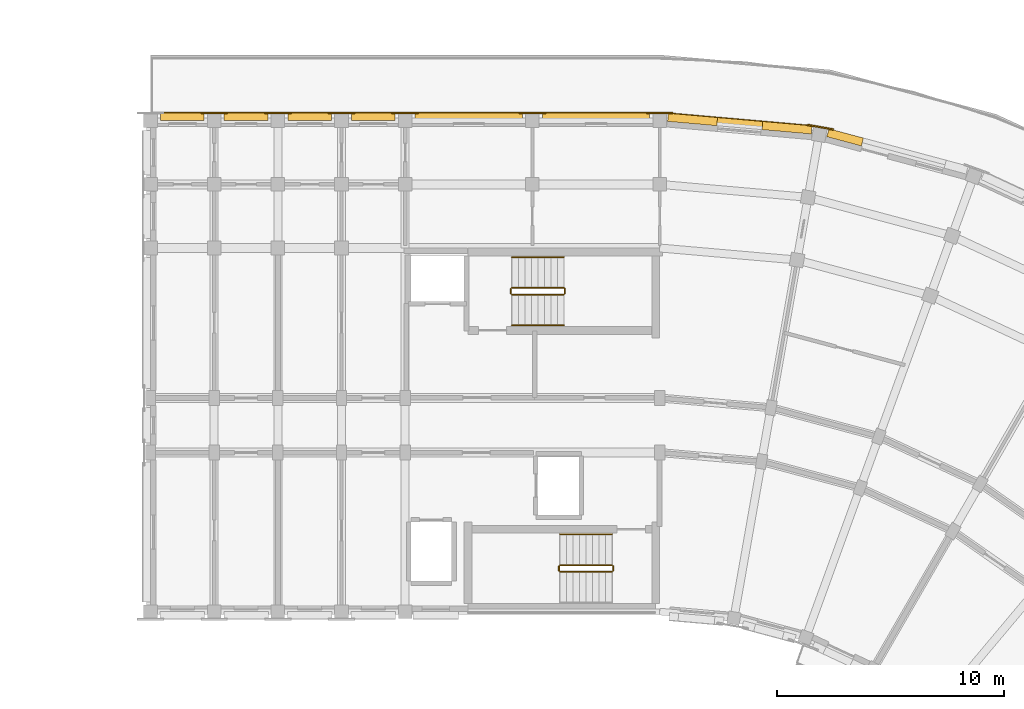
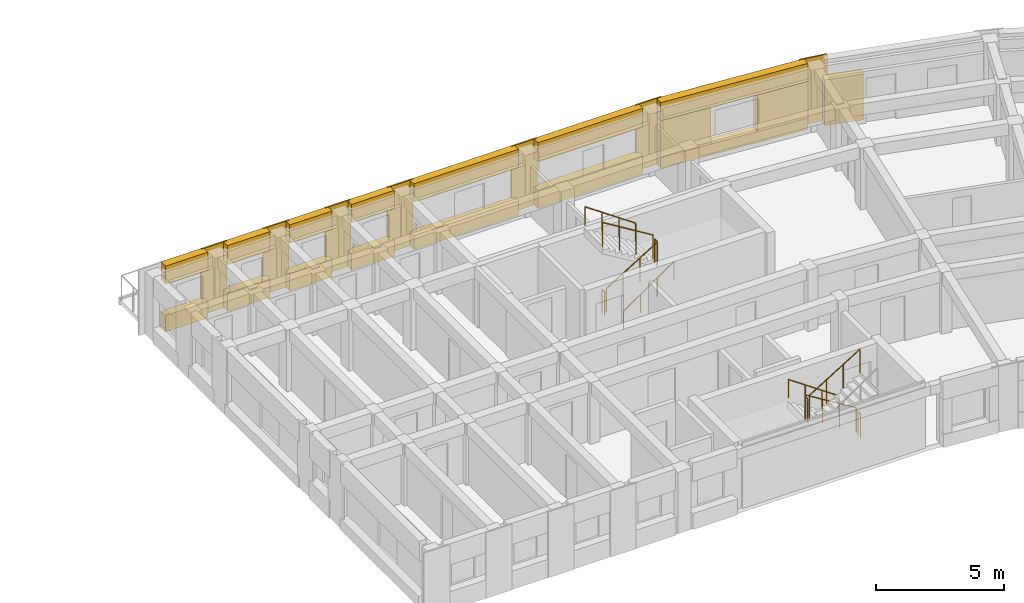
# One storey, part 37 of 41: 24 coverings, 11 railings.
"""IFC4 building model written with IfcOpenShell, lengths in metres."""

from ifc_helpers import new_model, si_unit, direction, frame, origin, origin_2d, place, context, subcontext, project, spatial, polyline, circle, outline, extrude, material, layer, layer_set, type_object, element, save


model = new_model("IFC4")

# Units and contexts
model_context = context("Model", 3, precision=1e-05, world=origin(), true_north=direction((0.0, 1.0)))
body_context = subcontext(model_context, "Body", "Model", "MODEL_VIEW")
ifc_project = project(units=[si_unit("LENGTHUNIT", "METRE"), si_unit("AREAUNIT", "SQUARE_METRE"), si_unit("VOLUMEUNIT", "CUBIC_METRE"), si_unit("PLANEANGLEUNIT", "RADIAN"), si_unit("MASSUNIT", "GRAM", prefix="KILO")], contexts=[model_context])

# Site, building, storey
site_placement = place(None, origin())
site = spatial("IfcSite", under=ifc_project, at=site_placement, CompositionType="ELEMENT")
building_placement = place(site_placement, origin())
building = spatial("IfcBuilding", under=site, at=building_placement, Name="Kiranvali Square Residences", CompositionType="ELEMENT")
storey_placement = place(building_placement, frame((0.0, 0.0, 33.89990234375)))
storey = spatial("IfcBuildingStorey", under=building, at=storey_placement, Name="L10", CompositionType="ELEMENT", Elevation=33.89990234375)

# Coverings
ifc_material_1 = material(Name="Honed Porbandar limestone ashlar facade cladding", Category="masonry")
ifc_layer_1 = layer(ifc_material_1, 0.3798828125)
ifc_layer_set_1 = layer_set([ifc_layer_1], Name="Honed Porbandar limestone ashlar facade cladding")
covering_type_1 = type_object("IfcCoveringType", Name="COV-CLAD-JAMB", PredefinedType="CLADDING", material=ifc_layer_set_1)
covering_1_placement = place(storey_placement, frame((0.0, 0.0, 0.530029296875)))
element("IfcCovering", 1, at=covering_1_placement, inside=storey, type_object=covering_type_1, Name="L10 deep limestone window jamb reveal B-L10-CRV-00.L", PredefinedType="CLADDING", context=body_context, shape_type="SweptSolid", body=[
    extrude(outline(polyline([(120.148681640625, 128.169921875), (122.3115234375, 127.980712890625), (122.3427734375, 128.3388671875), (120.179931640625, 128.528076171875), (120.148681640625, 128.169921875)])), origin(), (0.0, 0.0, 1.0), 1.75),
])
covering_2_placement = place(storey_placement, frame((0.0, 0.0, 0.530029296875)))
element("IfcCovering", 2, at=covering_2_placement, inside=storey, type_object=covering_type_1, Name="L10 deep limestone window jamb reveal B-L10-CRV-00.R", PredefinedType="CLADDING", context=body_context, shape_type="SweptSolid", body=[
    extrude(outline(polyline([(124.303955078125, 127.806396484375), (126.466796875, 127.6171875), (126.498046875, 127.975341796875), (124.335205078125, 128.16455078125), (124.303955078125, 127.806396484375)])), origin(), (0.0, 0.0, 1.0), 1.75),
])
covering_3_placement = place(storey_placement, origin())
element("IfcCovering", 3, at=covering_3_placement, inside=storey, type_object=covering_type_1, Name="L10 deep limestone window jamb reveal B-L10-CRV-01.L", PredefinedType="CLADDING", context=body_context, shape_type="SweptSolid", body=[
    extrude(outline(polyline([(127.153564453125, 127.49609375), (128.669921875, 127.08984375), (128.762939453125, 127.43701171875), (127.24658203125, 127.84326171875), (127.153564453125, 127.49609375)])), origin(), (0.0, 0.0, 1.0), 2.18017578125),
])
ifc_layer_2 = layer(ifc_material_1, 0.06494140625)
ifc_layer_set_2 = layer_set([ifc_layer_2], Name="Honed Porbandar limestone ashlar facade cladding")
covering_type_2 = type_object("IfcCoveringType", Name="COV-CLAD-PIER", PredefinedType="CLADDING", material=ifc_layer_set_2)
covering_4_placement = place(storey_placement, frame((0.0, 0.0, 0.005126953125)))
element("IfcCovering", 4, at=covering_4_placement, inside=storey, type_object=covering_type_2, Name="L10 Classical limestone corner pilaster CLAD-PR-B-L10-A00", PredefinedType="CLADDING", context=body_context, shape_type="SweptSolid", body=[
    extrude(outline(polyline([(120.3798828125, 128.568115234375), (119.219970703125, 128.568115234375), (119.219970703125, 128.50048828125), (120.3798828125, 128.50048828125), (120.3798828125, 128.568115234375)])), origin(), (0.0, 0.0, 1.0), 3.139892578125),
])
covering_5_placement = place(storey_placement, frame((0.0, 0.0, 0.005126953125)))
element("IfcCovering", 5, at=covering_5_placement, inside=storey, type_object=covering_type_2, Name="L10 Classical limestone corner pilaster CLAD-PR-B-L10-A01", PredefinedType="CLADDING", context=body_context, shape_type="SweptSolid", body=[
    extrude(outline(polyline([(127.450439453125, 127.847900390625), (126.30810546875, 128.04931640625), (126.29638671875, 127.98291015625), (127.438720703125, 127.781494140625), (127.450439453125, 127.847900390625)])), origin(), (0.0, 0.0, 1.0), 3.139892578125),
])
ifc_layer_3 = layer(ifc_material_1, 0.054931640625)
ifc_layer_set_3 = layer_set([ifc_layer_3], Name="Honed Porbandar limestone ashlar facade cladding")
covering_type_3 = type_object("IfcCoveringType", Name="COV-CLAD-PIER-UP", PredefinedType="CLADDING", material=ifc_layer_set_3)
covering_6_placement = place(storey_placement, frame((0.0, 0.0, 0.005126953125)))
element("IfcCovering", 6, at=covering_6_placement, inside=storey, type_object=covering_type_3, Name="L10 Classical limestone pilaster casing CLAD-PR-B-L10-U56", PredefinedType="CLADDING", context=body_context, shape_type="SweptSolid", body=[
    extrude(outline(polyline([(114.780029296875, 128.568115234375), (113.6201171875, 128.568115234375), (113.6201171875, 128.50048828125), (114.780029296875, 128.50048828125), (114.780029296875, 128.568115234375)])), origin(), (0.0, 0.0, 1.0), 3.139892578125),
])
covering_7_placement = place(storey_placement, frame((0.0, 0.0, 0.005126953125)))
element("IfcCovering", 7, at=covering_7_placement, inside=storey, type_object=covering_type_3, Name="L10 Classical limestone pilaster casing CLAD-PR-B-L10-U112", PredefinedType="CLADDING", context=body_context, shape_type="SweptSolid", body=[
    extrude(outline(polyline([(109.179931640625, 128.568115234375), (108.02001953125, 128.568115234375), (108.02001953125, 128.50048828125), (109.179931640625, 128.50048828125), (109.179931640625, 128.568115234375)])), origin(), (0.0, 0.0, 1.0), 3.139892578125),
])
covering_8_placement = place(storey_placement, frame((0.0, 0.0, 0.005126953125)))
element("IfcCovering", 8, at=covering_8_placement, inside=storey, type_object=covering_type_3, Name="L10 Classical limestone pilaster casing CLAD-PR-B-L10-U140", PredefinedType="CLADDING", context=body_context, shape_type="SweptSolid", body=[
    extrude(outline(polyline([(106.3798828125, 128.568115234375), (105.219970703125, 128.568115234375), (105.219970703125, 128.50048828125), (106.3798828125, 128.50048828125), (106.3798828125, 128.568115234375)])), origin(), (0.0, 0.0, 1.0), 3.139892578125),
])
covering_9_placement = place(storey_placement, frame((0.0, 0.0, 0.005126953125)))
element("IfcCovering", 9, at=covering_9_placement, inside=storey, type_object=covering_type_3, Name="L10 Classical limestone pilaster casing CLAD-PR-B-L10-U167", PredefinedType="CLADDING", context=body_context, shape_type="SweptSolid", body=[
    extrude(outline(polyline([(103.580078125, 128.568115234375), (102.419921875, 128.568115234375), (102.419921875, 128.50048828125), (103.580078125, 128.50048828125), (103.580078125, 128.568115234375)])), origin(), (0.0, 0.0, 1.0), 3.139892578125),
])
covering_10_placement = place(storey_placement, frame((0.0, 0.0, 0.005126953125)))
element("IfcCovering", 10, at=covering_10_placement, inside=storey, type_object=covering_type_3, Name="L10 Classical limestone pilaster casing CLAD-PR-B-L10-U195", PredefinedType="CLADDING", context=body_context, shape_type="SweptSolid", body=[
    extrude(outline(polyline([(100.780029296875, 128.568115234375), (99.6201171875, 128.568115234375), (99.6201171875, 128.50048828125), (100.780029296875, 128.50048828125), (100.780029296875, 128.568115234375)])), origin(), (0.0, 0.0, 1.0), 3.139892578125),
])
ifc_layer_4 = layer(ifc_material_1, 0.360107421875)
ifc_layer_set_4 = layer_set([ifc_layer_4], Name="Honed Porbandar limestone ashlar facade cladding")
covering_type_4 = type_object("IfcCoveringType", Name="COV-CLAD-WALL", PredefinedType="CLADDING", material=ifc_layer_set_4)
covering_11_placement = place(storey_placement, frame((0.0, 0.0, 2.280029296875)))
element("IfcCovering", 11, at=covering_11_placement, inside=storey, type_object=covering_type_4, Name="L10 light limestone spandrel lintel B-L10-CRV-00", PredefinedType="CLADDING", context=body_context, shape_type="SweptSolid", body=[
    extrude(outline(polyline([(120.148681640625, 128.169921875), (126.466796875, 127.6171875), (126.498046875, 127.975341796875), (120.179931640625, 128.528076171875), (120.148681640625, 128.169921875)])), origin(), (0.0, 0.0, 1.0), 0.864990234375),
])
covering_12_placement = place(storey_placement, frame((0.0, 0.0, 2.22998046875)))
element("IfcCovering", 12, at=covering_12_placement, inside=storey, type_object=covering_type_4, Name="L10 light limestone spandrel lintel B-L10-A1O-0", PredefinedType="CLADDING", context=body_context, shape_type="SweptSolid", body=[
    extrude(outline(polyline([(119.360107421875, 128.550048828125), (114.639892578125, 128.550048828125), (114.639892578125, 128.200439453125), (119.360107421875, 128.200439453125), (119.360107421875, 128.550048828125)])), origin(), (0.0, 0.0, 1.0), 0.9150390625),
])
covering_13_placement = place(storey_placement, frame((0.0, 0.0, 2.280029296875)))
element("IfcCovering", 13, at=covering_13_placement, inside=storey, type_object=covering_type_4, Name="L10 light limestone spandrel lintel B-L10-A1O-1", PredefinedType="CLADDING", context=body_context, shape_type="SweptSolid", body=[
    extrude(outline(polyline([(113.760009765625, 128.550048828125), (109.0400390625, 128.550048828125), (109.0400390625, 128.200439453125), (113.760009765625, 128.200439453125), (113.760009765625, 128.550048828125)])), origin(), (0.0, 0.0, 1.0), 0.864990234375),
])
covering_14_placement = place(storey_placement, frame((0.0, 0.0, 2.280029296875)))
element("IfcCovering", 14, at=covering_14_placement, inside=storey, type_object=covering_type_4, Name="L10 light limestone spandrel lintel B-L10-A1O-2", PredefinedType="CLADDING", context=body_context, shape_type="SweptSolid", body=[
    extrude(outline(polyline([(108.159912109375, 128.550048828125), (106.239990234375, 128.550048828125), (106.239990234375, 128.200439453125), (108.159912109375, 128.200439453125), (108.159912109375, 128.550048828125)])), origin(), (0.0, 0.0, 1.0), 0.864990234375),
])
covering_15_placement = place(storey_placement, frame((0.0, 0.0, 2.280029296875)))
element("IfcCovering", 15, at=covering_15_placement, inside=storey, type_object=covering_type_4, Name="L10 light limestone spandrel lintel B-L10-A1O-3", PredefinedType="CLADDING", context=body_context, shape_type="SweptSolid", body=[
    extrude(outline(polyline([(105.360107421875, 128.550048828125), (103.43994140625, 128.550048828125), (103.43994140625, 128.200439453125), (105.360107421875, 128.200439453125), (105.360107421875, 128.550048828125)])), origin(), (0.0, 0.0, 1.0), 0.864990234375),
])
covering_16_placement = place(storey_placement, frame((0.0, 0.0, 2.22998046875)))
element("IfcCovering", 16, at=covering_16_placement, inside=storey, type_object=covering_type_4, Name="L10 light limestone spandrel lintel B-L10-A1O-4", PredefinedType="CLADDING", context=body_context, shape_type="SweptSolid", body=[
    extrude(outline(polyline([(102.56005859375, 128.550048828125), (100.639892578125, 128.550048828125), (100.639892578125, 128.200439453125), (102.56005859375, 128.200439453125), (102.56005859375, 128.550048828125)])), origin(), (0.0, 0.0, 1.0), 0.9150390625),
])
covering_17_placement = place(storey_placement, frame((0.0, 0.0, 2.280029296875)))
element("IfcCovering", 17, at=covering_17_placement, inside=storey, type_object=covering_type_4, Name="L10 light limestone spandrel lintel B-L10-A1O-5", PredefinedType="CLADDING", context=body_context, shape_type="SweptSolid", body=[
    extrude(outline(polyline([(99.760009765625, 128.550048828125), (97.840087890625, 128.550048828125), (97.840087890625, 128.200439453125), (99.760009765625, 128.200439453125), (99.760009765625, 128.550048828125)])), origin(), (0.0, 0.0, 1.0), 0.864990234375),
])
ifc_layer_5 = layer(ifc_material_1, 0.320068359375)
ifc_layer_set_5 = layer_set([ifc_layer_5], Name="Honed Porbandar limestone ashlar facade cladding")
covering_type_5 = type_object("IfcCoveringType", Name="COV-CLAD-WALL-UP", PredefinedType="CLADDING", material=ifc_layer_set_5)
covering_18_placement = place(storey_placement, frame((0.0, 0.0, 0.005126953125)))
element("IfcCovering", 18, at=covering_18_placement, inside=storey, type_object=covering_type_5, Name="L10 limestone window sill apron B-L10-CRV-00", PredefinedType="CLADDING", context=body_context, shape_type="SweptSolid", body=[
    extrude(outline(polyline([(120.148681640625, 128.169921875), (126.466796875, 127.6171875), (126.500732421875, 128.00537109375), (120.1826171875, 128.55810546875), (120.148681640625, 128.169921875)])), origin(), (0.0, 0.0, 1.0), 0.52490234375),
])
covering_19_placement = place(storey_placement, frame((0.0, 0.0, 0.005126953125)))
element("IfcCovering", 19, at=covering_19_placement, inside=storey, type_object=covering_type_5, Name="L10 limestone window sill apron B-L10-A1O-0", PredefinedType="CLADDING", context=body_context, shape_type="SweptSolid", body=[
    extrude(outline(polyline([(119.360107421875, 128.580078125), (114.639892578125, 128.580078125), (114.639892578125, 128.200439453125), (119.360107421875, 128.200439453125), (119.360107421875, 128.580078125)])), origin(), (0.0, 0.0, 1.0), 0.875),
])
covering_20_placement = place(storey_placement, frame((0.0, 0.0, 0.005126953125)))
element("IfcCovering", 20, at=covering_20_placement, inside=storey, type_object=covering_type_5, Name="L10 limestone window sill apron B-L10-A1O-1", PredefinedType="CLADDING", context=body_context, shape_type="SweptSolid", body=[
    extrude(outline(polyline([(113.760009765625, 128.580078125), (109.0400390625, 128.580078125), (109.0400390625, 128.200439453125), (113.760009765625, 128.200439453125), (113.760009765625, 128.580078125)])), origin(), (0.0, 0.0, 1.0), 0.675048828125),
])
covering_21_placement = place(storey_placement, frame((0.0, 0.0, 0.005126953125)))
element("IfcCovering", 21, at=covering_21_placement, inside=storey, type_object=covering_type_5, Name="L10 limestone window sill apron B-L10-A1O-2", PredefinedType="CLADDING", context=body_context, shape_type="SweptSolid", body=[
    extrude(outline(polyline([(108.159912109375, 128.580078125), (106.239990234375, 128.580078125), (106.239990234375, 128.200439453125), (108.159912109375, 128.200439453125), (108.159912109375, 128.580078125)])), origin(), (0.0, 0.0, 1.0), 0.77490234375),
])
covering_22_placement = place(storey_placement, frame((0.0, 0.0, 0.005126953125)))
element("IfcCovering", 22, at=covering_22_placement, inside=storey, type_object=covering_type_5, Name="L10 limestone window sill apron B-L10-A1O-3", PredefinedType="CLADDING", context=body_context, shape_type="SweptSolid", body=[
    extrude(outline(polyline([(105.360107421875, 128.580078125), (103.43994140625, 128.580078125), (103.43994140625, 128.200439453125), (105.360107421875, 128.200439453125), (105.360107421875, 128.580078125)])), origin(), (0.0, 0.0, 1.0), 0.824951171875),
])
covering_23_placement = place(storey_placement, frame((0.0, 0.0, 0.005126953125)))
element("IfcCovering", 23, at=covering_23_placement, inside=storey, type_object=covering_type_5, Name="L10 limestone window sill apron B-L10-A1O-4", PredefinedType="CLADDING", context=body_context, shape_type="SweptSolid", body=[
    extrude(outline(polyline([(102.56005859375, 128.580078125), (100.639892578125, 128.580078125), (100.639892578125, 128.200439453125), (102.56005859375, 128.200439453125), (102.56005859375, 128.580078125)])), origin(), (0.0, 0.0, 1.0), 0.875),
])
covering_24_placement = place(storey_placement, frame((0.0, 0.0, 0.005126953125)))
element("IfcCovering", 24, at=covering_24_placement, inside=storey, type_object=covering_type_5, Name="L10 limestone window sill apron B-L10-A1O-5", PredefinedType="CLADDING", context=body_context, shape_type="SweptSolid", body=[
    extrude(outline(polyline([(99.760009765625, 128.580078125), (97.840087890625, 128.580078125), (97.840087890625, 128.200439453125), (99.760009765625, 128.200439453125), (99.760009765625, 128.580078125)])), origin(), (0.0, 0.0, 1.0), 0.77490234375),
])

# Railings
ifc_material_2 = material(Name="Brushed stainless steel tubular handrail", Category="steel")
railing_type_1 = type_object("IfcRailingType", Name="RL-HANDRAIL-900", PredefinedType="HANDRAIL", material=ifc_material_2)
railing_1_placement = place(storey_placement, frame((113.300048828125, 119.199951171875, 0.175048828125)))
element("IfcRailing", 25, at=railing_1_placement, inside=storey, type_object=railing_type_1, Name="L10 ST-B1 stair handrail 1", PredefinedType="HANDRAIL", context=body_context, shape_type="SweptSolid", body=[
    extrude(circle(Radius=0.02392578125, at=origin_2d()), frame((0.0, 0.0, 0.8759765625), z_axis=(0.82278801735, 0.0, 0.568348377763), x_axis=(0.0, 1.0, 0.0)), (0.0, 0.0, 1.0), 2.77099609375),
    extrude(circle(Radius=0.02099609375, at=origin_2d()), origin(), (0.0, 0.0, 1.0), 0.851806640625),
    extrude(circle(Radius=0.02099609375, at=origin_2d()), frame((0.760009765625, 0.0, 0.52490234375)), (0.0, 0.0, 1.0), 0.851806640625),
    extrude(circle(Radius=0.02099609375, at=origin_2d()), frame((1.52001953125, 0.0, 1.050048828125)), (0.0, 0.0, 1.0), 0.851806640625),
    extrude(circle(Radius=0.02099609375, at=origin_2d()), frame((2.280029296875, 0.0, 1.574951171875)), (0.0, 0.0, 1.0), 0.851806640625),
])
railing_2_placement = place(storey_placement, frame((115.580078125, 122.199951171875, 1.75)))
element("IfcRailing", 26, at=railing_2_placement, inside=storey, type_object=railing_type_1, Name="L10 ST-B1 stair handrail 2", PredefinedType="HANDRAIL", context=body_context, shape_type="SweptSolid", body=[
    extrude(circle(Radius=0.02392578125, at=origin_2d()), frame((0.0, 0.0, 0.8759765625), z_axis=(-0.82274681792, 0.0, 0.568408016835), x_axis=(0.0, -1.0, 0.0)), (0.0, 0.0, 1.0), 2.771240234375),
    extrude(circle(Radius=0.02099609375, at=origin_2d()), origin(), (0.0, 0.0, 1.0), 0.851806640625),
    extrude(circle(Radius=0.02099609375, at=origin_2d()), frame((-0.760009765625, 0.0, 0.525146484375)), (0.0, 0.0, 1.0), 0.851806640625),
    extrude(circle(Radius=0.02099609375, at=origin_2d()), frame((-1.52001953125, 0.0, 1.050048828125)), (0.0, 0.0, 1.0), 0.851806640625),
    extrude(circle(Radius=0.02099609375, at=origin_2d()), frame((-2.280029296875, 0.0, 1.5751953125)), (0.0, 0.0, 1.0), 0.851806640625),
])
railing_3_placement = place(storey_placement, frame((117.699951171875, 110.0, 0.175048828125)))
element("IfcRailing", 27, at=railing_3_placement, inside=storey, type_object=railing_type_1, Name="L10 ST-B2 stair handrail 1", PredefinedType="HANDRAIL", context=body_context, shape_type="SweptSolid", body=[
    extrude(circle(Radius=0.02392578125, at=origin_2d()), frame((0.0, 0.0, 0.8759765625), z_axis=(-0.82278801735, 0.0, 0.568348377763), x_axis=(0.0, -1.0, 0.0)), (0.0, 0.0, 1.0), 2.77099609375),
    extrude(circle(Radius=0.02099609375, at=origin_2d()), origin(), (0.0, 0.0, 1.0), 0.851806640625),
    extrude(circle(Radius=0.02099609375, at=origin_2d()), frame((-0.760009765625, 0.0, 0.52490234375)), (0.0, 0.0, 1.0), 0.851806640625),
    extrude(circle(Radius=0.02099609375, at=origin_2d()), frame((-1.52001953125, 0.0, 1.050048828125)), (0.0, 0.0, 1.0), 0.851806640625),
    extrude(circle(Radius=0.02099609375, at=origin_2d()), frame((-2.280029296875, 0.0, 1.574951171875)), (0.0, 0.0, 1.0), 0.851806640625),
])
ifc_material_3 = material(Name="Powder-coated architectural bronze balustrade", Category="steel")
railing_type_2 = type_object("IfcRailingType", Name="RL-ST-GUARD-1200", PredefinedType="GUARDRAIL", material=ifc_material_3)
railing_4_placement = place(storey_placement, frame((113.300048828125, 120.550048828125, 0.175048828125)))
element("IfcRailing", 28, at=railing_4_placement, inside=storey, type_object=railing_type_2, Name="L10 ST-B1 stair guard 1", PredefinedType="GUARDRAIL", context=body_context, shape_type="SweptSolid", body=[
    extrude(circle(Radius=0.02392578125, at=origin_2d()), frame((0.0, 0.0, 1.1259765625), z_axis=(0.852149810458, 0.0, 0.523297908018), x_axis=(0.0, 1.0, 0.0)), (0.0, 0.0, 1.0), 2.675537109375),
    extrude(circle(Radius=0.02099609375, at=origin_2d()), origin(), (0.0, 0.0, 1.0), 1.101806640625),
    extrude(circle(Radius=0.02099609375, at=origin_2d()), frame((0.760009765625, 0.0, 0.466796875)), (0.0, 0.0, 1.0), 1.101806640625),
    extrude(circle(Radius=0.02099609375, at=origin_2d()), frame((1.52001953125, 0.0, 0.933349609375)), (0.0, 0.0, 1.0), 1.101806640625),
    extrude(circle(Radius=0.02099609375, at=origin_2d()), frame((2.280029296875, 0.0, 1.400146484375)), (0.0, 0.0, 1.0), 1.101806640625),
])
railing_5_placement = place(storey_placement, frame((115.6298828125, 120.60009765625, 1.5751953125)))
element("IfcRailing", 29, at=railing_5_placement, inside=storey, type_object=railing_type_2, Name="L10 ST-B1 stair guard 2", PredefinedType="GUARDRAIL", context=body_context, shape_type="SweptSolid", body=[
    extrude(circle(Radius=0.02392578125, at=origin_2d()), frame((0.0, 0.0, 1.1259765625), z_axis=(0.0, 1.0, 0.0), x_axis=(-1.0, 0.0, 0.0)), (0.0, 0.0, 1.0), 0.199951171875),
    extrude(circle(Radius=0.02099609375, at=origin_2d()), origin(), (0.0, 0.0, 1.0), 1.101806640625),
    extrude(circle(Radius=0.02099609375, at=origin_2d()), frame((0.0, 0.199951171875, 0.0)), (0.0, 0.0, 1.0), 1.101806640625),
])
railing_6_placement = place(storey_placement, frame((115.580078125, 120.85009765625, 1.75)))
element("IfcRailing", 30, at=railing_6_placement, inside=storey, type_object=railing_type_2, Name="L10 ST-B1 stair guard 3", PredefinedType="GUARDRAIL", context=body_context, shape_type="SweptSolid", body=[
    extrude(circle(Radius=0.02392578125, at=origin_2d()), frame((0.0, 0.0, 1.1259765625), z_axis=(-0.852149810458, 0.0, 0.523297908018), x_axis=(0.0, -1.0, 0.0)), (0.0, 0.0, 1.0), 2.675537109375),
    extrude(circle(Radius=0.02099609375, at=origin_2d()), origin(), (0.0, 0.0, 1.0), 1.101806640625),
    extrude(circle(Radius=0.02099609375, at=origin_2d()), frame((-0.760009765625, 0.0, 0.466796875)), (0.0, 0.0, 1.0), 1.101806640625),
    extrude(circle(Radius=0.02099609375, at=origin_2d()), frame((-1.52001953125, 0.0, 0.933349609375)), (0.0, 0.0, 1.0), 1.101806640625),
    extrude(circle(Radius=0.02099609375, at=origin_2d()), frame((-2.280029296875, 0.0, 1.400146484375)), (0.0, 0.0, 1.0), 1.101806640625),
])
railing_7_placement = place(storey_placement, frame((113.25, 120.60009765625, 0.0)))
element("IfcRailing", 31, at=railing_7_placement, inside=storey, type_object=railing_type_2, Name="L10 ST-B1 stair guard 4", PredefinedType="GUARDRAIL", context=body_context, shape_type="SweptSolid", body=[
    extrude(circle(Radius=0.02392578125, at=origin_2d()), frame((0.0, 0.0, 1.1259765625), z_axis=(0.0, 1.0, 0.0), x_axis=(-1.0, 0.0, 0.0)), (0.0, 0.0, 1.0), 0.199951171875),
    extrude(circle(Radius=0.02099609375, at=origin_2d()), origin(), (0.0, 0.0, 1.0), 1.101806640625),
    extrude(circle(Radius=0.02099609375, at=origin_2d()), frame((0.0, 0.199951171875, 0.0)), (0.0, 0.0, 1.0), 1.101806640625),
])
railing_8_placement = place(storey_placement, frame((117.699951171875, 108.64990234375, 0.175048828125)))
element("IfcRailing", 32, at=railing_8_placement, inside=storey, type_object=railing_type_2, Name="L10 ST-B2 stair guard 1", PredefinedType="GUARDRAIL", context=body_context, shape_type="SweptSolid", body=[
    extrude(circle(Radius=0.02392578125, at=origin_2d()), frame((0.0, 0.0, 1.1259765625), z_axis=(-0.852149810458, 0.0, 0.523297908018), x_axis=(0.0, -1.0, 0.0)), (0.0, 0.0, 1.0), 2.675537109375),
    extrude(circle(Radius=0.02099609375, at=origin_2d()), origin(), (0.0, 0.0, 1.0), 1.101806640625),
    extrude(circle(Radius=0.02099609375, at=origin_2d()), frame((-0.760009765625, 0.0, 0.466796875)), (0.0, 0.0, 1.0), 1.101806640625),
    extrude(circle(Radius=0.02099609375, at=origin_2d()), frame((-1.52001953125, 0.0, 0.933349609375)), (0.0, 0.0, 1.0), 1.101806640625),
    extrude(circle(Radius=0.02099609375, at=origin_2d()), frame((-2.280029296875, 0.0, 1.400146484375)), (0.0, 0.0, 1.0), 1.101806640625),
])
railing_9_placement = place(storey_placement, frame((115.3701171875, 108.60009765625, 1.5751953125)))
element("IfcRailing", 33, at=railing_9_placement, inside=storey, type_object=railing_type_2, Name="L10 ST-B2 stair guard 2", PredefinedType="GUARDRAIL", context=body_context, shape_type="SweptSolid", body=[
    extrude(circle(Radius=0.02392578125, at=origin_2d()), frame((0.0, 0.0, 1.1259765625), z_axis=(0.0, -1.0, 0.0), x_axis=(1.0, 0.0, 0.0)), (0.0, 0.0, 1.0), 0.2001953125),
    extrude(circle(Radius=0.02099609375, at=origin_2d()), origin(), (0.0, 0.0, 1.0), 1.101806640625),
    extrude(circle(Radius=0.02099609375, at=origin_2d()), frame((0.0, -0.2001953125, 0.0)), (0.0, 0.0, 1.0), 1.101806640625),
])
railing_10_placement = place(storey_placement, frame((115.419921875, 108.35009765625, 1.75)))
element("IfcRailing", 34, at=railing_10_placement, inside=storey, type_object=railing_type_2, Name="L10 ST-B2 stair guard 3", PredefinedType="GUARDRAIL", context=body_context, shape_type="SweptSolid", body=[
    extrude(circle(Radius=0.02392578125, at=origin_2d()), frame((0.0, 0.0, 1.1259765625), z_axis=(0.852149810458, 0.0, 0.523297908018), x_axis=(0.0, 1.0, 0.0)), (0.0, 0.0, 1.0), 2.675537109375),
    extrude(circle(Radius=0.02099609375, at=origin_2d()), origin(), (0.0, 0.0, 1.0), 1.101806640625),
    extrude(circle(Radius=0.02099609375, at=origin_2d()), frame((0.760009765625, 0.0, 0.466796875)), (0.0, 0.0, 1.0), 1.101806640625),
    extrude(circle(Radius=0.02099609375, at=origin_2d()), frame((1.52001953125, 0.0, 0.933349609375)), (0.0, 0.0, 1.0), 1.101806640625),
    extrude(circle(Radius=0.02099609375, at=origin_2d()), frame((2.280029296875, 0.0, 1.400146484375)), (0.0, 0.0, 1.0), 1.101806640625),
])
railing_11_placement = place(storey_placement, frame((117.75, 108.60009765625, 0.0)))
element("IfcRailing", 35, at=railing_11_placement, inside=storey, type_object=railing_type_2, Name="L10 ST-B2 stair guard 4", PredefinedType="GUARDRAIL", context=body_context, shape_type="SweptSolid", body=[
    extrude(circle(Radius=0.02392578125, at=origin_2d()), frame((0.0, 0.0, 1.1259765625), z_axis=(0.0, -1.0, 0.0), x_axis=(1.0, 0.0, 0.0)), (0.0, 0.0, 1.0), 0.2001953125),
    extrude(circle(Radius=0.02099609375, at=origin_2d()), origin(), (0.0, 0.0, 1.0), 1.101806640625),
    extrude(circle(Radius=0.02099609375, at=origin_2d()), frame((0.0, -0.2001953125, 0.0)), (0.0, 0.0, 1.0), 1.101806640625),
])

save(model, "model.ifc")
